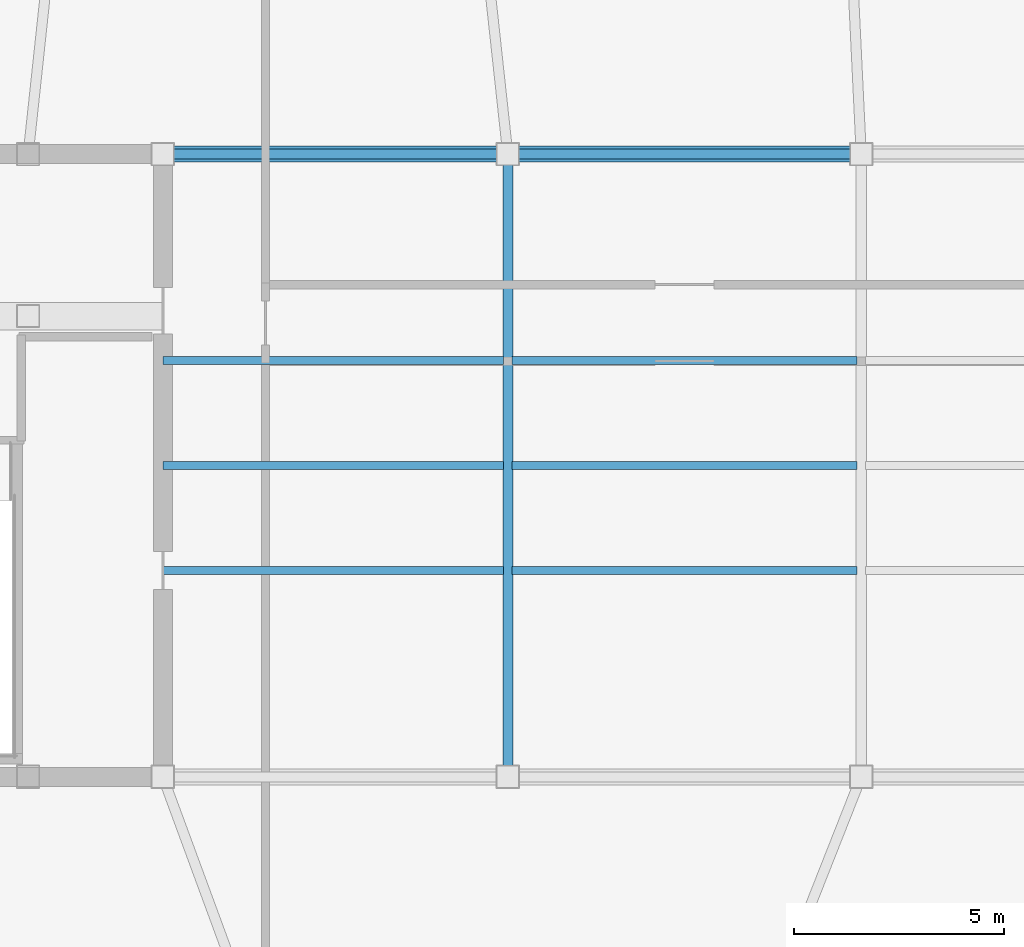
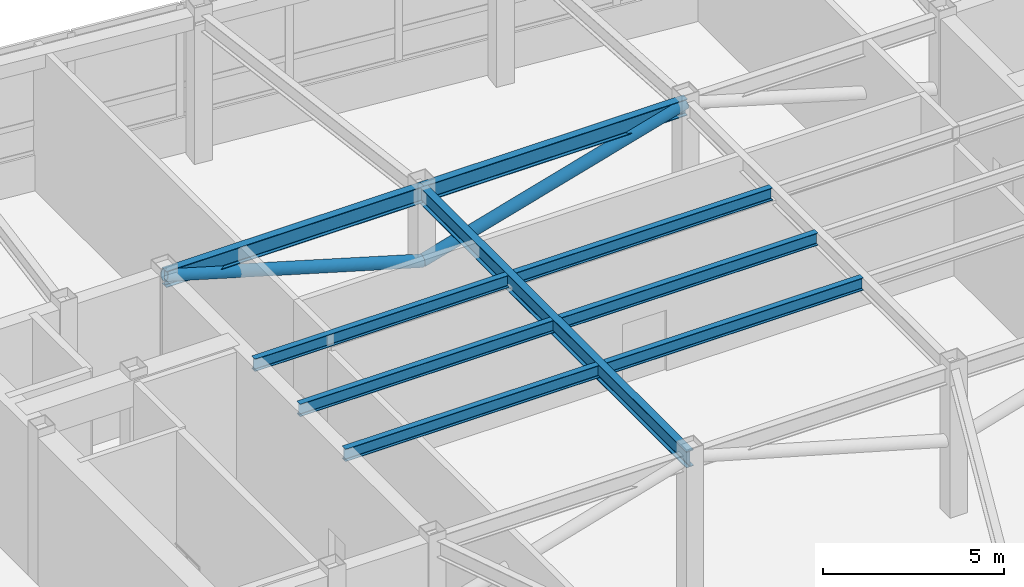
# One storey, part 8 of 21: 9 beams, 2 members.
"""IFC4 building model written with IfcOpenShell, lengths in metres."""

from ifc_helpers import new_model, si_unit, direction, frame, origin, origin_2d, place, context, subcontext, project, spatial, hollow_circle, i_section, extrude, material, material_profile, profile_set, type_object, element, save


model = new_model("IFC4")

# Units and contexts
model_context = context("Model", 3, precision=1e-05, world=origin(), true_north=direction((0.0, 1.0)))
body_context = subcontext(model_context, "Body", "Model", "MODEL_VIEW")
ifc_project = project(units=[si_unit("LENGTHUNIT", "METRE"), si_unit("AREAUNIT", "SQUARE_METRE"), si_unit("VOLUMEUNIT", "CUBIC_METRE"), si_unit("PLANEANGLEUNIT", "RADIAN"), si_unit("MASSUNIT", "GRAM", prefix="KILO")], contexts=[model_context])

# Site, building, storey
site_placement = place(None, origin())
site = spatial("IfcSite", under=ifc_project, at=site_placement, CompositionType="ELEMENT")
building_placement = place(site_placement, origin())
building = spatial("IfcBuilding", under=site, at=building_placement, Name="Voryun Gate Residences", CompositionType="ELEMENT")
storey_placement = place(building_placement, frame((0.0, 0.0, 337.199951171875)))
storey = spatial("IfcBuildingStorey", under=building, at=storey_placement, Name="L82", CompositionType="ELEMENT", Elevation=337.199951171875)

# Beams
ifc_material_1 = material(Name="Steel SM355", Category="steel")
ifc_material_profile_1 = material_profile(ifc_material_1, i_section(OverallWidth=0.239990234375, OverallDepth=0.550048828125, WebThickness=0.011962890625, FlangeThickness=0.02001953125, FilletRadius=0.01806640625, at=origin_2d()), Name="H-550x240x12x20")
ifc_profile_set_1 = profile_set([ifc_material_profile_1], Name="Steel SM355")
beam_type_1 = type_object("IfcBeamType", Name="BM_GIRD_550", PredefinedType="USERDEFINED", material=ifc_profile_set_1)
beam_1_placement = place(storey_placement, frame((-12.39990234375, 7.39990234375, 4.68505859375), z_axis=(1.0, 0.0, 0.0), x_axis=(0.0, 1.0, 0.0)))
element("IfcBeam", 1, at=beam_1_placement, inside=storey, type_object=beam_type_1, Name="BM-L82-SPG1-N", ObjectType="GIRDER", PredefinedType="USERDEFINED", context=body_context, shape_type="SweptSolid", body=[
    extrude(i_section(OverallWidth=0.239990234375, OverallDepth=0.550048828125, WebThickness=0.011962890625, FlangeThickness=0.02001953125, FilletRadius=0.01806640625, at=origin_2d()), origin(), (0.0, 0.0, 1.0), 8.199951171875),
])
beam_2_placement = place(storey_placement, frame((-4.199951171875, 7.39990234375, 4.68505859375), z_axis=(1.0, 0.0, 0.0), x_axis=(0.0, 1.0, 0.0)))
element("IfcBeam", 2, at=beam_2_placement, inside=storey, type_object=beam_type_1, Name="BM-L82-SPG2-N", ObjectType="GIRDER", PredefinedType="USERDEFINED", context=body_context, shape_type="SweptSolid", body=[
    extrude(i_section(OverallWidth=0.239990234375, OverallDepth=0.550048828125, WebThickness=0.011962890625, FlangeThickness=0.02001953125, FilletRadius=0.01806640625, at=origin_2d()), origin(), (0.0, 0.0, 1.0), 8.39990234375),
])
beam_3_placement = place(storey_placement, frame((-4.199951171875, -7.39990234375, 4.68505859375), z_axis=(0.0, 1.0, 0.0), x_axis=(-1.0, 0.0, 0.0)))
element("IfcBeam", 3, at=beam_3_placement, inside=storey, type_object=beam_type_1, Name="BM-L82-SPX-W", ObjectType="GIRDER", PredefinedType="USERDEFINED", context=body_context, shape_type="SweptSolid", body=[
    extrude(i_section(OverallWidth=0.239990234375, OverallDepth=0.550048828125, WebThickness=0.011962890625, FlangeThickness=0.02001953125, FilletRadius=0.01806640625, at=origin_2d()), origin(), (0.0, 0.0, 1.0), 14.7998046875),
])
ifc_material_2 = material(Name="Steel SM355", Category="steel")
ifc_material_profile_2 = material_profile(ifc_material_2, i_section(OverallWidth=0.18994140625, OverallDepth=0.419921875, WebThickness=0.009033203125, FlangeThickness=0.01611328125, FilletRadius=0.01806640625, at=origin_2d()), Name="H-420x190x9x16")
ifc_profile_set_2 = profile_set([ifc_material_profile_2], Name="Steel SM355")
beam_type_2 = type_object("IfcBeamType", Name="BM_SEC_420", PredefinedType="BEAM", material=ifc_profile_set_2)
beam_4_placement = place(storey_placement, frame((-12.39990234375, -2.5, 4.75), z_axis=(1.0, 0.0, 0.0), x_axis=(0.0, 1.0, 0.0)))
element("IfcBeam", 4, at=beam_4_placement, inside=storey, type_object=beam_type_2, Name="BM-L82-SEC-CS1", PredefinedType="BEAM", context=body_context, shape_type="SweptSolid", body=[
    extrude(i_section(OverallWidth=0.18994140625, OverallDepth=0.419921875, WebThickness=0.009033203125, FlangeThickness=0.01611328125, FilletRadius=0.01806640625, at=origin_2d()), origin(), (0.0, 0.0, 1.0), 8.099853515625),
])
beam_5_placement = place(storey_placement, frame((-4.10009765625, -2.5, 4.75), z_axis=(1.0, 0.0, 0.0), x_axis=(0.0, 1.0, 0.0)))
element("IfcBeam", 5, at=beam_5_placement, inside=storey, type_object=beam_type_2, Name="BM-L82-SEC-CS2", PredefinedType="BEAM", context=body_context, shape_type="SweptSolid", body=[
    extrude(i_section(OverallWidth=0.18994140625, OverallDepth=0.419921875, WebThickness=0.009033203125, FlangeThickness=0.01611328125, FilletRadius=0.01806640625, at=origin_2d()), origin(), (0.0, 0.0, 1.0), 8.2001953125),
])
beam_6_placement = place(storey_placement, frame((-12.39990234375, 0.0, 4.75), z_axis=(1.0, 0.0, 0.0), x_axis=(0.0, 1.0, 0.0)))
element("IfcBeam", 6, at=beam_6_placement, inside=storey, type_object=beam_type_2, Name="BM-L82-SEC-CM1", PredefinedType="BEAM", context=body_context, shape_type="SweptSolid", body=[
    extrude(i_section(OverallWidth=0.18994140625, OverallDepth=0.419921875, WebThickness=0.009033203125, FlangeThickness=0.01611328125, FilletRadius=0.01806640625, at=origin_2d()), origin(), (0.0, 0.0, 1.0), 8.099853515625),
])
beam_7_placement = place(storey_placement, frame((-4.10009765625, 0.0, 4.75), z_axis=(1.0, 0.0, 0.0), x_axis=(0.0, 1.0, 0.0)))
element("IfcBeam", 7, at=beam_7_placement, inside=storey, type_object=beam_type_2, Name="BM-L82-SEC-CM2", PredefinedType="BEAM", context=body_context, shape_type="SweptSolid", body=[
    extrude(i_section(OverallWidth=0.18994140625, OverallDepth=0.419921875, WebThickness=0.009033203125, FlangeThickness=0.01611328125, FilletRadius=0.01806640625, at=origin_2d()), origin(), (0.0, 0.0, 1.0), 8.2001953125),
])
beam_8_placement = place(storey_placement, frame((-12.39990234375, 2.5, 4.75), z_axis=(1.0, 0.0, 0.0), x_axis=(0.0, 1.0, 0.0)))
element("IfcBeam", 8, at=beam_8_placement, inside=storey, type_object=beam_type_2, Name="BM-L82-SEC-CN1", PredefinedType="BEAM", context=body_context, shape_type="SweptSolid", body=[
    extrude(i_section(OverallWidth=0.18994140625, OverallDepth=0.419921875, WebThickness=0.009033203125, FlangeThickness=0.01611328125, FilletRadius=0.01806640625, at=origin_2d()), origin(), (0.0, 0.0, 1.0), 8.099853515625),
])
beam_9_placement = place(storey_placement, frame((-4.10009765625, 2.5, 4.75), z_axis=(1.0, 0.0, 0.0), x_axis=(0.0, 1.0, 0.0)))
element("IfcBeam", 9, at=beam_9_placement, inside=storey, type_object=beam_type_2, Name="BM-L82-SEC-CN2", PredefinedType="BEAM", context=body_context, shape_type="SweptSolid", body=[
    extrude(i_section(OverallWidth=0.18994140625, OverallDepth=0.419921875, WebThickness=0.009033203125, FlangeThickness=0.01611328125, FilletRadius=0.01806640625, at=origin_2d()), origin(), (0.0, 0.0, 1.0), 8.2001953125),
])

# Members
ifc_material_3 = material(Name="Steel SM355", Category="steel")
ifc_material_profile_3 = material_profile(ifc_material_3, hollow_circle(Radius=0.18994140625, WallThickness=0.01806640625, at=origin_2d()), Name="CHS-380x18")
ifc_profile_set_3 = profile_set([ifc_material_profile_3], Name="Steel SM355")
member_type = type_object("IfcMemberType", Name="MBR_CROWN_DIAGRID", PredefinedType="BRACE", material=ifc_profile_set_3)
member_1_placement = place(storey_placement, frame((-4.199951171875, 7.39990234375, 2.380126953125), z_axis=(-0.959740037409, 0.0, 0.280889765913), x_axis=(0.0, -1.0, 0.0)))
element("IfcMember", 10, at=member_1_placement, inside=storey, type_object=member_type, Name="L82 Lantern Spine Diagrid Brace 04", PredefinedType="BRACE", context=body_context, shape_type="SweptSolid", body=[
    extrude(hollow_circle(Radius=0.18994140625, WallThickness=0.01806640625, at=origin_2d()), origin(), (0.0, 0.0, 1.0), 8.5439453125),
])
member_2_placement = place(storey_placement, frame((-4.199951171875, 7.39990234375, 2.380126953125), z_axis=(0.96152605678, 0.0, 0.274713745804), x_axis=(0.0, 1.0, 0.0)))
element("IfcMember", 11, at=member_2_placement, inside=storey, type_object=member_type, Name="L82 Lantern Spine Diagrid Brace 05", PredefinedType="BRACE", context=body_context, shape_type="SweptSolid", body=[
    extrude(hollow_circle(Radius=0.18994140625, WallThickness=0.01806640625, at=origin_2d()), origin(), (0.0, 0.0, 1.0), 8.736083984375),
])

save(model, "model.ifc")
